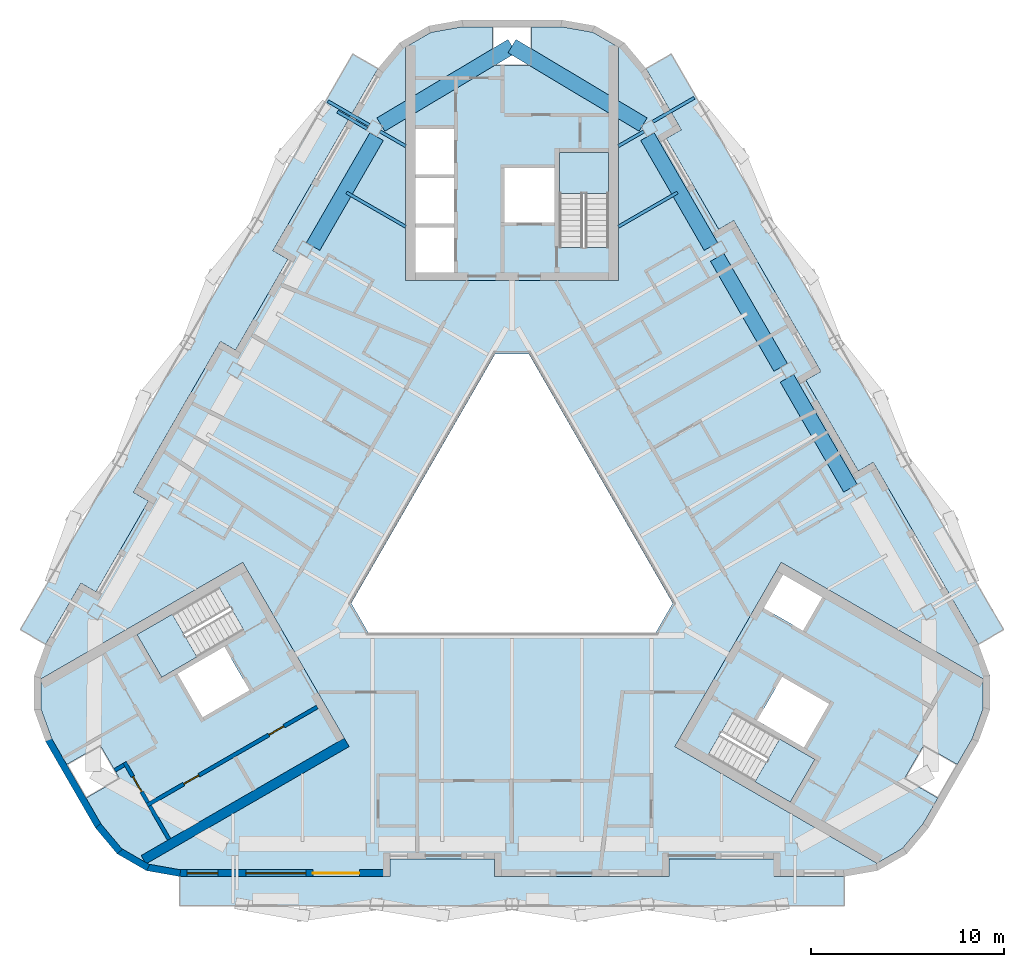
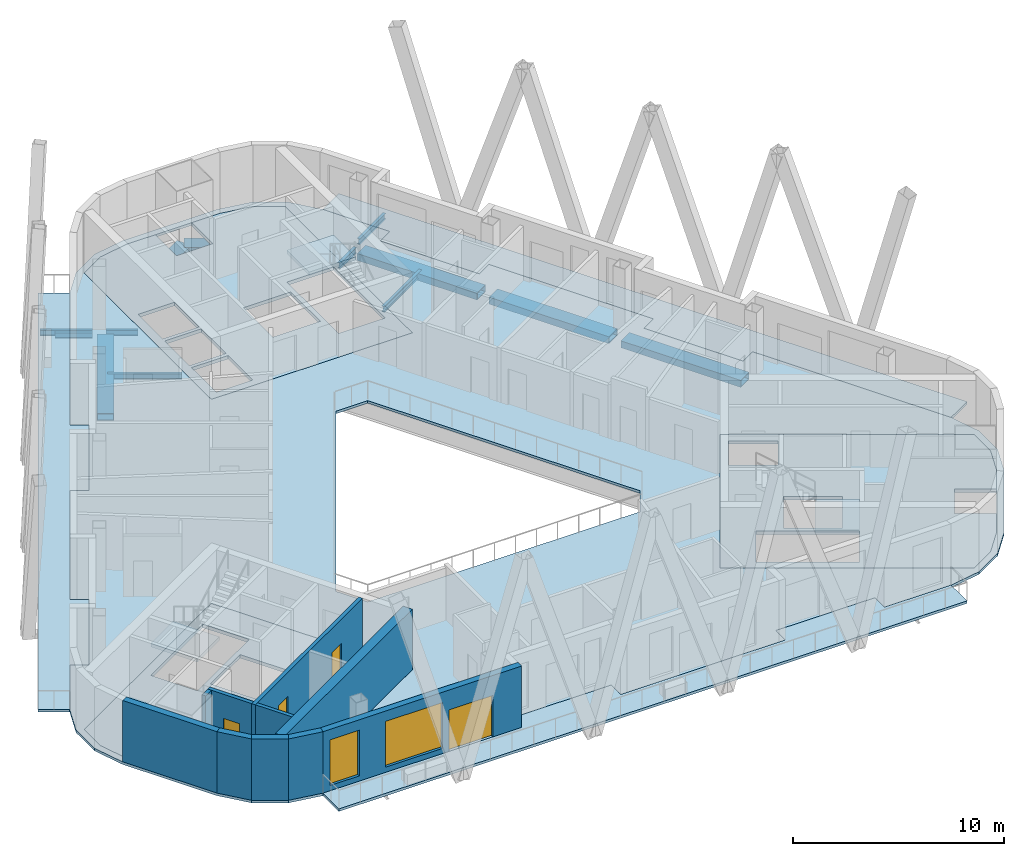
# One storey, part 2 of 13: 13 beams, 10 slabs, 10 walls, 4 doors, 2 windows, 6 openings, 3 elements without a shape of their own.
"""IFC4 building model written with IfcOpenShell, lengths in metres."""

import ifcopenshell
import ifcopenshell.guid

model = None  # the IFC model being written
_history = None  # IfcOwnerHistory: only IFC2X3 demands one
_inside = {}  # id of a spatial element -> (the spatial element, [elements in it])
_under = {}  # id of a project, library or spatial element -> (it, [spatial elements below it])
_declared = {}  # id of a project -> (the project, [libraries it declares])
_typed = {}  # id of a type object -> (the type object, [elements of that type])
_made_of = {}  # id of a material, layer set ... -> (it, [elements and type objects made of it])


def new_model(schema):
    """Start an empty IFC model of exactly this schema.

    Asked for "IFC4X3", IfcOpenShell would pick the latest addendum, in which some entities
    have other attributes; the version numbers below select the first issue.
    IFC2X3 requires an IfcOwnerHistory on every rooted entity: one is made here for all.
    """
    global model, _history
    if schema == "IFC4X3":
        model = ifcopenshell.file(schema_version=(4, 3, 0, 0))
    else:
        model = ifcopenshell.file(schema=schema)
    _inside.clear()
    _under.clear()
    _declared.clear()
    _typed.clear()
    _made_of.clear()
    _history = None
    if model.schema == "IFC2X3":
        org = make("IfcOrganization", Name="unknown")
        user = make(
            "IfcPersonAndOrganization",
            ThePerson=make("IfcPerson", FamilyName="unknown"),
            TheOrganization=org,
        )
        app = make(
            "IfcApplication",
            ApplicationDeveloper=org,
            Version="unknown",
            ApplicationFullName="unknown",
            ApplicationIdentifier="unknown",
        )
        _history = make(
            "IfcOwnerHistory",
            OwningUser=user,
            OwningApplication=app,
            ChangeAction="ADDED",
            CreationDate=0,
        )
    return model


def make(cls, **values):
    """One entity of the class cls with the attributes given. An attribute that is None is left unset."""
    return model.create_entity(
        cls, **{name: value for name, value in values.items() if value is not None}
    )


def rooted(cls, **values):
    """An entity with a GlobalId (a new one), such as an element, a storey or a relation."""
    return make(cls, GlobalId=ifcopenshell.guid.new(), OwnerHistory=_history, **values)


def si_unit(unit_type, name, prefix=None):
    """IfcSIUnit, for example si_unit("LENGTHUNIT", "METRE", prefix="MILLI")."""
    return make("IfcSIUnit", UnitType=unit_type, Prefix=prefix, Name=name)


def assignment(units):
    """IfcUnitAssignment: the units of a project."""
    return None if units is None else make("IfcUnitAssignment", Units=units)


def point(xyz):
    """IfcCartesianPoint."""
    return None if xyz is None else make("IfcCartesianPoint", Coordinates=xyz)


def direction(xyz):
    """IfcDirection."""
    return None if xyz is None else make("IfcDirection", DirectionRatios=xyz)


def frame(location, z_axis=None, x_axis=None):
    """IfcAxis2Placement3D, a coordinate frame: its origin and axes. An axis left out is left unset."""
    return make(
        "IfcAxis2Placement3D",
        Location=point(location),
        Axis=direction(z_axis),
        RefDirection=direction(x_axis),
    )


def frame_2d(location, x_axis=None):
    """IfcAxis2Placement2D, a coordinate frame in the plane: its origin and x axis."""
    return make(
        "IfcAxis2Placement2D", Location=point(location), RefDirection=direction(x_axis)
    )


def origin():
    """The frame at (0, 0, 0) with its axes left unset."""
    return frame((0.0, 0.0, 0.0))


def origin_2d():
    """The frame at (0, 0) in the plane with its x axis left unset."""
    return frame_2d((0.0, 0.0))


def place(relative_to, where):
    """IfcLocalPlacement: puts the frame where relative to a parent placement (None: the world)."""
    return make(
        "IfcLocalPlacement", PlacementRelTo=relative_to, RelativePlacement=where
    )


def context(
    kind, dimensions, precision=None, world=None, true_north=None, identifier=None
):
    """IfcGeometricRepresentationContext, for example the 3D "Model" context."""
    return make(
        "IfcGeometricRepresentationContext",
        ContextIdentifier=identifier,
        ContextType=kind,
        CoordinateSpaceDimension=dimensions,
        Precision=precision,
        WorldCoordinateSystem=world,
        TrueNorth=true_north,
    )


def subcontext(parent, identifier, kind, view, scale=None):
    """IfcGeometricRepresentationSubContext, for example "Body" below "Model"."""
    return make(
        "IfcGeometricRepresentationSubContext",
        ContextIdentifier=identifier,
        ContextType=kind,
        ParentContext=parent,
        TargetScale=scale,
        TargetView=view,
    )


def project(units=None, contexts=None):
    """IfcProject with its units and contexts."""
    return rooted(
        "IfcProject",
        Name="project",
        RepresentationContexts=contexts,
        UnitsInContext=assignment(units),
    )


def spatial(cls, under=None, at=None, **own):
    """A site, building, storey or space (cls), placed at a placement, below another one or the project."""
    s = rooted(cls, ObjectPlacement=at, **own)
    if under is not None:
        _under.setdefault(under.id(), (under, []))[1].append(s)
    return s


def polyline(points):
    """IfcPolyline through the points."""
    return make("IfcPolyline", Points=[point(p) for p in points])


def profile(cls, at=None, kind="AREA", **sizes):
    """A parametric profile (cls). Its sizes go by their IFC names, for example OverallWidth=200.0."""
    return make(cls, ProfileType=kind, Position=at, **sizes)


def rectangle(**sizes):
    """IfcRectangleProfileDef."""
    return profile("IfcRectangleProfileDef", **sizes)


def hollow_rectangle(**sizes):
    """IfcRectangleHollowProfileDef."""
    return profile("IfcRectangleHollowProfileDef", **sizes)


def i_section(**sizes):
    """IfcIShapeProfileDef."""
    return profile("IfcIShapeProfileDef", **sizes)


def outline(outer, holes=None, kind="AREA"):
    """IfcArbitraryClosedProfileDef: a profile drawn as a closed curve; with holes, ...WithVoids."""
    if holes is None:
        return make("IfcArbitraryClosedProfileDef", ProfileType=kind, OuterCurve=outer)
    return make(
        "IfcArbitraryProfileDefWithVoids",
        ProfileType=kind,
        OuterCurve=outer,
        InnerCurves=holes,
    )


def extrude(swept, where, along, depth):
    """IfcExtrudedAreaSolid: the profile swept, set in the frame where, extruded along a direction by depth."""
    return make(
        "IfcExtrudedAreaSolid",
        SweptArea=swept,
        Position=where,
        ExtrudedDirection=direction(along),
        Depth=depth,
    )


def shape(context_of_items, identifier, shape_type, items):
    """IfcShapeRepresentation: the items that make up one representation, for example the "Body"."""
    return make(
        "IfcShapeRepresentation",
        ContextOfItems=context_of_items,
        RepresentationIdentifier=identifier,
        RepresentationType=shape_type,
        Items=items,
    )


def material(Name=None, Category=None):
    """IfcMaterial."""
    return make("IfcMaterial", Name=Name, Category=Category)


def layer(
    of_material, thickness, ventilated=None, Name=None, Category=None, Priority=None
):
    """IfcMaterialLayer: one layer of a wall or slab, of a material (None: an air gap)."""
    return make(
        "IfcMaterialLayer",
        Material=of_material,
        LayerThickness=thickness,
        IsVentilated=ventilated,
        Name=Name,
        Category=Category,
        Priority=Priority,
    )


def layer_set(layers, Name=None):
    """IfcMaterialLayerSet."""
    return make("IfcMaterialLayerSet", MaterialLayers=layers, LayerSetName=Name)


def material_profile(
    of_material, cross_section, Name=None, Category=None, Priority=None
):
    """IfcMaterialProfile: a cross section and its material."""
    return make(
        "IfcMaterialProfile",
        Name=Name,
        Material=of_material,
        Profile=cross_section,
        Priority=Priority,
        Category=Category,
    )


def profile_set(profiles, Name=None, composite=None):
    """IfcMaterialProfileSet."""
    return make(
        "IfcMaterialProfileSet",
        Name=Name,
        MaterialProfiles=profiles,
        CompositeProfile=composite,
    )


def made_of(thing, what):
    """Note that an element or type object is made of a material, layer set ...; save() writes the relation."""
    if what is not None:
        _made_of.setdefault(what.id(), (what, []))[1].append(thing)
    return thing


def type_object(cls, material=None, **own):
    """A type object (cls), such as IfcWallType, which elements share."""
    return made_of(rooted(cls, **own), material)


def element(
    cls,
    number,
    at=None,
    inside=None,
    cuts=None,
    type_object=None,
    material=None,
    context=None,
    identifier="Body",
    shape_type=None,
    held_by="IfcProductDefinitionShape",
    body=None,
    shapes=None,
    **own,
):
    """One element of the class cls, such as IfcWall. Its Tag is "e" and its number.

    at: its placement. inside: the storey or other place that contains it. cuts: it is an
    opening in that element (IfcRelVoidsElement). A single representation is given by context,
    identifier, shape_type and body (its items); several are given by shapes. held_by: the class
    of the entity that holds the representations. save() writes the other relations.
    """
    e = rooted(cls, Tag="e%d" % number, ObjectPlacement=at, **own)
    if body is not None:
        shapes = [shape(context, identifier, shape_type, body)]
    if shapes is not None:
        e.Representation = make(held_by, Representations=shapes)
    if inside is not None:
        _inside.setdefault(inside.id(), (inside, []))[1].append(e)
    if cuts is not None:
        rooted(
            "IfcRelVoidsElement", RelatingBuildingElement=cuts, RelatedOpeningElement=e
        )
    if type_object is not None:
        _typed.setdefault(type_object.id(), (type_object, []))[1].append(e)
    return made_of(e, material)


def fill(opening, filler):
    """IfcRelFillsElement: the door or window that sits in an opening."""
    return rooted(
        "IfcRelFillsElement",
        RelatingOpeningElement=opening,
        RelatedBuildingElement=filler,
    )


def aggregate(whole, parts):
    """IfcRelAggregates: a whole, such as a stair, and the parts it consists of."""
    return rooted("IfcRelAggregates", RelatingObject=whole, RelatedObjects=parts)


def save(model, path):
    """Write the relations noted so far, then the file.

    IfcRelAggregates (storeys below a building ...), IfcRelContainedInSpatialStructure (elements
    in a storey), IfcRelDefinesByType, IfcRelAssociatesMaterial and IfcRelDeclares: one each for
    every whole, place, type object, material and project.
    """
    for whole, parts in _under.values():
        aggregate(whole, parts)
    for where, things in _inside.values():
        rooted(
            "IfcRelContainedInSpatialStructure",
            RelatedElements=things,
            RelatingStructure=where,
        )
    for kind, things in _typed.values():
        rooted("IfcRelDefinesByType", RelatedObjects=things, RelatingType=kind)
    for what, things in _made_of.values():
        rooted("IfcRelAssociatesMaterial", RelatedObjects=things, RelatingMaterial=what)
    for by, libraries in _declared.values():
        rooted("IfcRelDeclares", RelatingContext=by, RelatedDefinitions=libraries)
    model.write(path)


model = new_model("IFC4")

# Units and contexts
model_context = context("Model", 3, precision=1e-05, world=origin(), true_north=direction((0.0, 1.0)))
body_context = subcontext(model_context, "Body", "Model", "MODEL_VIEW")
ifc_project = project(units=[si_unit("LENGTHUNIT", "METRE"), si_unit("AREAUNIT", "SQUARE_METRE"), si_unit("VOLUMEUNIT", "CUBIC_METRE"), si_unit("PLANEANGLEUNIT", "RADIAN"), si_unit("MASSUNIT", "GRAM", prefix="KILO")], contexts=[model_context])

# Site, building, storey
site_placement = place(None, origin())
site = spatial("IfcSite", under=ifc_project, at=site_placement, CompositionType="ELEMENT")
building_placement = place(site_placement, origin())
building = spatial("IfcBuilding", under=site, at=building_placement, Name="Apuvela Tower Hotel", CompositionType="ELEMENT")
storey_placement = place(building_placement, frame((0.0, 0.0, 280.0)))
storey = spatial("IfcBuildingStorey", under=building, at=storey_placement, Name="L69", CompositionType="ELEMENT", Elevation=280.0)

# Beams
ifc_material_1 = material(Name="Steel S355", Category="steel")
ifc_material_profile_1 = material_profile(ifc_material_1, i_section(OverallWidth=0.159912109375, OverallDepth=0.330078125, WebThickness=0.007568359375, FlangeThickness=0.011474609375, at=origin_2d()), Name="IPE 330")
ifc_profile_set_1 = profile_set([ifc_material_profile_1], Name="Steel S355")
beam_type_1 = type_object("IfcBeamType", Name="ENV-BALCONY-BEAM-IPE330", PredefinedType="BEAM", material=ifc_profile_set_1)
for number, where, z_axis, x_axis, name in (
    (1, (7.280517578125, 21.097412109375, -0.31494140625), (0.866006523861, 0.500032699561, 0.0), (-0.500032699561, 0.866006523861, 0.0), "Balcony cantilever beam NE3 L69"),
    (2, (-7.38037109375, 20.92431640625, -0.31494140625), (-0.86604923931, 0.499958713387, 0.0), (-0.499958713387, -0.86604923931, 0.0), "Balcony cantilever beam NW1 L69"),
):
    element("IfcBeam", number, at=place(storey_placement, frame(where, z_axis=z_axis, x_axis=x_axis)), inside=storey, type_object=beam_type_1, Name=name, PredefinedType="BEAM", context=body_context, shape_type="SweptSolid", body=[
        extrude(i_section(OverallWidth=0.159912109375, OverallDepth=0.330078125, WebThickness=0.007568359375, FlangeThickness=0.011474609375, at=origin_2d()), origin(), (0.0, 0.0, 1.0), 2.474853515625),
    ])
beam_1_placement = place(storey_placement, frame((-7.490478515625, 20.733642578125, -0.31494140625), z_axis=(-0.866025242659, 0.500000279077, 0.0), x_axis=(-0.500000279077, -0.866025242659, 0.0)))
element("IfcBeam", 3, at=beam_1_placement, inside=storey, type_object=beam_type_1, Name="Balcony cantilever beam NW2 L69", PredefinedType="BEAM", context=body_context, shape_type="SweptSolid", body=[
    extrude(i_section(OverallWidth=0.159912109375, OverallDepth=0.330078125, WebThickness=0.007568359375, FlangeThickness=0.011474609375, at=origin_2d()), origin(), (0.0, 0.0, 1.0), 1.77490234375),
])
ifc_material_profile_2 = material_profile(ifc_material_1, i_section(OverallWidth=0.159912109375, OverallDepth=0.330078125, WebThickness=0.007568359375, FlangeThickness=0.011474609375, at=origin_2d()), Name="IPE 330")
ifc_profile_set_2 = profile_set([ifc_material_profile_2], Name="Steel S355")
beam_type_2 = type_object("IfcBeamType", Name="STR-B floor beam IPE 330", PredefinedType="BEAM", material=ifc_profile_set_2)
beam_2_placement = place(storey_placement, frame((8.556396484375, 17.4375, -0.31494140625), z_axis=(-0.866020851292, -0.500007885066, 0.0), x_axis=(0.500007885066, -0.866020851292, 0.0)))
element("IfcBeam", 4, at=beam_2_placement, inside=storey, type_object=beam_type_2, Name="Floor beam B1 NE8", PredefinedType="BEAM", context=body_context, shape_type="SweptSolid", body=[
    extrude(i_section(OverallWidth=0.159912109375, OverallDepth=0.330078125, WebThickness=0.007568359375, FlangeThickness=0.011474609375, at=origin_2d()), origin(), (0.0, 0.0, 1.0), 3.529296875),
])
for number, where, z_axis, x_axis, name in (
    (5, (6.8173828125, 20.59912109375, -0.31494140625), (-0.865982457891, -0.500074377092, 0.0), (0.500074377092, -0.865982457891, 0.0), "Floor beam B1 NE9"),
    (6, (-6.8173828125, 20.59912109375, -0.31494140625), (0.865982457891, -0.500074377092, 0.0), (0.500074377092, 0.865982457891, 0.0), "Floor beam B1 NW1"),
):
    element("IfcBeam", number, at=place(storey_placement, frame(where, z_axis=z_axis, x_axis=x_axis)), inside=storey, type_object=beam_type_2, Name=name, PredefinedType="BEAM", context=body_context, shape_type="SweptSolid", body=[
        extrude(i_section(OverallWidth=0.159912109375, OverallDepth=0.330078125, WebThickness=0.007568359375, FlangeThickness=0.011474609375, at=origin_2d()), origin(), (0.0, 0.0, 1.0), 1.521240234375),
    ])
beam_3_placement = place(storey_placement, frame((-8.556396484375, 17.4375, -0.31494140625), z_axis=(0.866020851292, -0.500007885066, 0.0), x_axis=(0.500007885066, 0.866020851292, 0.0)))
element("IfcBeam", 7, at=beam_3_placement, inside=storey, type_object=beam_type_2, Name="Floor beam B1 NW2", PredefinedType="BEAM", context=body_context, shape_type="SweptSolid", body=[
    extrude(i_section(OverallWidth=0.159912109375, OverallDepth=0.330078125, WebThickness=0.007568359375, FlangeThickness=0.011474609375, at=origin_2d()), origin(), (0.0, 0.0, 1.0), 3.529296875),
])
ifc_material_2 = material(Name="Steel S460", Category="steel")
ifc_material_profile_3 = material_profile(ifc_material_2, hollow_rectangle(XDim=0.800048828125, YDim=0.39990234375, WallThickness=0.02490234375, at=origin_2d()), Name="BOX 800x400x25")
ifc_profile_set_3 = profile_set([ifc_material_profile_3], Name="Steel S460")
beam_type_3 = type_object("IfcBeamType", Name="STR-RB perimeter ring beam BOX 800x400x25", PredefinedType="SPANDREL", material=ifc_profile_set_3)
for number, where, z_axis, x_axis, name in (
    (8, (17.499755859375, 2.147216796875, -0.39990234375), (-0.500002498361, 0.86602396135, 0.0), (-0.86602396135, -0.500002498361, 0.0), "Ring beam RB1 NE2"),
    (9, (13.89208984375, 8.395751953125, -0.39990234375), (-0.500002498361, 0.86602396135, 0.0), (-0.86602396135, -0.500002498361, 0.0), "Ring beam RB1 NE3"),
):
    element("IfcBeam", number, at=place(storey_placement, frame(where, z_axis=z_axis, x_axis=x_axis)), inside=storey, type_object=beam_type_3, Name=name, PredefinedType="SPANDREL", context=body_context, shape_type="SweptSolid", body=[
        extrude(hollow_rectangle(XDim=0.800048828125, YDim=0.39990234375, WallThickness=0.02490234375, at=origin_2d()), origin(), (0.0, 0.0, 1.0), 6.5654296875),
    ])
for number, where, z_axis, x_axis, name in (
    (10, (10.2841796875, 14.64453125, -0.39990234375), (-0.499990710383, 0.866030767081, 0.0), (-0.866030767081, -0.499990710383, 0.0), "Ring beam RB1 NE4"),
    (11, (-7.001708984375, 20.330078125, -0.39990234375), (-0.499990710383, -0.866030767081, 0.0), (0.866030767081, -0.499990710383, 0.0), "Ring beam RB1 NW1"),
):
    element("IfcBeam", number, at=place(storey_placement, frame(where, z_axis=z_axis, x_axis=x_axis)), inside=storey, type_object=beam_type_3, Name=name, PredefinedType="SPANDREL", context=body_context, shape_type="SweptSolid", body=[
        extrude(hollow_rectangle(XDim=0.800048828125, YDim=0.39990234375, WallThickness=0.02490234375, at=origin_2d()), origin(), (0.0, 0.0, 1.0), 6.56494140625),
    ])
for number, where, z_axis, x_axis, name in (
    (12, (6.77978515625, 20.95263671875, -0.39990234375), (-0.858146625937, 0.51340468287, 0.0), (-0.51340468287, -0.858146625937, 0.0), "Ring beam RB1 NE5-N"),
    (13, (-6.77978515625, 20.95263671875, -0.39990234375), (0.858146625937, 0.51340468287, 0.0), (-0.51340468287, 0.858146625937, 0.0), "Ring beam RB1 NW1-N"),
):
    element("IfcBeam", number, at=place(storey_placement, frame(where, z_axis=z_axis, x_axis=x_axis)), inside=storey, type_object=beam_type_3, Name=name, PredefinedType="SPANDREL", context=body_context, shape_type="SweptSolid", body=[
        extrude(hollow_rectangle(XDim=0.800048828125, YDim=0.39990234375, WallThickness=0.02490234375, at=origin_2d()), origin(), (0.0, 0.0, 1.0), 7.900390625),
    ])

# Slabs
ifc_material_3 = material(Name="Concrete C50/60", Category="concrete")
ifc_layer_1 = layer(ifc_material_3, 0.199951171875)
ifc_layer_set_1 = layer_set([ifc_layer_1], Name="COR-FLOOR-200")
slab_type_1 = type_object("IfcSlabType", Name="COR-FLOOR-200", PredefinedType="FLOOR", material=ifc_layer_set_1)
slab_1_placement = place(storey_placement, frame((0.0, 0.0, -0.199951171875)))
element("IfcSlab", 14, at=slab_1_placement, inside=storey, type_object=slab_type_1, Name="Core floor N", PredefinedType="FLOOR", context=body_context, shape_type="SweptSolid", body=[
    extrude(outline(polyline([(5.5, 24.9599609375), (4.180419921875, 25.721923828125), (2.55322265625, 26.0087890625), (1.0, 26.0087890625), (1.0, 24.0087890625), (-1.0, 24.0087890625), (-1.0, 26.0087890625), (-2.55322265625, 26.0087890625), (-4.180419921875, 25.721923828125), (-5.5, 24.9599609375), (-5.5, 12.89990234375), (5.5, 12.89990234375), (5.5, 24.9599609375)]), holes=[polyline([(-3.0, 13.300048828125), (-5.0, 13.300048828125), (-5.0, 15.639892578125), (-3.0, 15.639892578125), (-3.0, 13.300048828125)]), polyline([(-3.0, 15.840087890625), (-5.0, 15.840087890625), (-5.0, 18.179931640625), (-3.0, 18.179931640625), (-3.0, 15.840087890625)]), polyline([(5.0, 14.60595703125), (2.449951171875, 14.60595703125), (2.449951171875, 19.5), (5.0, 19.5), (5.0, 14.60595703125)]), polyline([(2.199951171875, 18.699951171875), (2.199951171875, 15.89990234375), (-0.39990234375, 15.89990234375), (-0.39990234375, 18.699951171875), (2.199951171875, 18.699951171875)]), polyline([(-3.0, 20.719970703125), (-3.0, 18.3798828125), (-5.0, 18.3798828125), (-5.0, 20.719970703125), (-3.0, 20.719970703125)])]), origin(), (0.0, 0.0, 1.0), 0.199951171875),
])
slab_2_placement = place(storey_placement, frame((0.0, 0.0, -0.199951171875)))
element("IfcSlab", 15, at=slab_2_placement, inside=storey, type_object=slab_type_1, Name="Core floor SW", PredefinedType="FLOOR", context=body_context, shape_type="SweptSolid", body=[
    extrude(outline(polyline([(-24.365966796875, -7.716796875), (-24.365966796875, -9.240478515625), (-23.80078125, -10.793212890625), (-23.0244140625, -12.138427734375), (-21.292236328125, -11.138427734375), (-20.292236328125, -12.870361328125), (-22.0244140625, -13.870361328125), (-21.247802734375, -15.215576171875), (-20.185546875, -16.481201171875), (-18.865966796875, -17.2431640625), (-8.421630859375, -11.213134765625), (-13.921630859375, -1.68701171875), (-24.365966796875, -7.716796875)]), holes=[polyline([(-13.874267578125, -5.18115234375), (-18.112548828125, -7.628173828125), (-19.387451171875, -5.419921875), (-15.149169921875, -2.972900390625), (-13.874267578125, -5.18115234375)]), polyline([(-13.56982421875, -8.29638671875), (-15.99462890625, -9.6962890625), (-17.294677734375, -7.444580078125), (-14.869873046875, -6.044677734375), (-13.56982421875, -8.29638671875)])]), origin(), (0.0, 0.0, 1.0), 0.199951171875),
])
slab_3_placement = place(storey_placement, frame((0.0, 0.0, -0.199951171875)))
element("IfcSlab", 16, at=slab_3_placement, inside=storey, type_object=slab_type_1, Name="Core floor SE", PredefinedType="FLOOR", context=body_context, shape_type="SweptSolid", body=[
    extrude(outline(polyline([(18.865966796875, -17.2431640625), (20.185546875, -16.481201171875), (21.247802734375, -15.215576171875), (22.0244140625, -13.870361328125), (20.292236328125, -12.870361328125), (21.292236328125, -11.138427734375), (23.0244140625, -12.138427734375), (23.80078125, -10.793212890625), (24.365966796875, -9.240478515625), (24.365966796875, -7.716796875), (13.921630859375, -1.68701171875), (8.421630859375, -11.213134765625), (18.865966796875, -17.2431640625)]), holes=[polyline([(14.01806640625, -2.31982421875), (16.044677734375, -3.489990234375), (15.044677734375, -5.221923828125), (13.01806640625, -4.052001953125), (14.01806640625, -2.31982421875)]), polyline([(10.149169921875, -11.633056640625), (11.42431640625, -9.4248046875), (15.66259765625, -11.871826171875), (14.387451171875, -14.080078125), (10.149169921875, -11.633056640625)]), polyline([(12.669921875, -9.855224609375), (13.9697265625, -7.603515625), (16.394775390625, -9.003662109375), (15.0947265625, -11.25537109375), (12.669921875, -9.855224609375)])]), origin(), (0.0, 0.0, 1.0), 0.199951171875),
])

# Stair, slab
stair_type = type_object("IfcStairType", Name="COR-STAIR-22R", PredefinedType="HALF_TURN_STAIR", material=ifc_material_3)
stair_1_placement = place(storey_placement, origin())
stair_1 = element("IfcStair", 17, at=stair_1_placement, inside=storey, type_object=stair_type, Name="L69 Exit stair ST1", PredefinedType="HALF_TURN_STAIR")
ifc_layer_2 = layer(ifc_material_3, 0.199951171875)
ifc_layer_set_2 = layer_set([ifc_layer_2], Name="COR-LANDING-200")
slab_type_2 = type_object("IfcSlabType", Name="COR-LANDING-200", PredefinedType="LANDING", material=ifc_layer_set_2)
slab_4_placement = place(storey_placement, frame((0.0, 0.0, 1.64990234375)))
slab_4 = element("IfcSlab", 18, at=slab_4_placement, type_object=slab_type_2, Name="ST1 landing 1", PredefinedType="LANDING", context=body_context, shape_type="SweptSolid", body=[
    extrude(outline(polyline([(5.0, 17.39404296875), (5.0, 19.5), (2.449951171875, 19.5), (2.449951171875, 17.39404296875), (5.0, 17.39404296875)])), origin(), (0.0, 0.0, 1.0), 0.2001953125),
])
aggregate(stair_1, [slab_4])

stair_2_placement = place(storey_placement, origin())
stair_2 = element("IfcStair", 19, at=stair_2_placement, inside=storey, type_object=stair_type, Name="L69 Exit stair ST2", PredefinedType="HALF_TURN_STAIR")
slab_5_placement = place(storey_placement, frame((0.0, 0.0, 1.64990234375)))
slab_5 = element("IfcSlab", 20, at=slab_5_placement, type_object=slab_type_2, Name="ST2 landing 1", PredefinedType="LANDING", context=body_context, shape_type="SweptSolid", body=[
    extrude(outline(polyline([(-17.563720703125, -4.366943359375), (-19.387451171875, -5.419921875), (-18.112548828125, -7.628173828125), (-16.28857421875, -6.5751953125), (-17.563720703125, -4.366943359375)])), origin(), (0.0, 0.0, 1.0), 0.2001953125),
])
aggregate(stair_2, [slab_5])

stair_3_placement = place(storey_placement, origin())
stair_3 = element("IfcStair", 21, at=stair_3_placement, inside=storey, type_object=stair_type, Name="L69 Exit stair ST3", PredefinedType="HALF_TURN_STAIR")
slab_6_placement = place(storey_placement, frame((0.0, 0.0, 1.64990234375)))
slab_6 = element("IfcSlab", 22, at=slab_6_placement, type_object=slab_type_2, Name="ST3 landing 1", PredefinedType="LANDING", context=body_context, shape_type="SweptSolid", body=[
    extrude(outline(polyline([(12.563720703125, -13.027099609375), (14.387451171875, -14.080078125), (15.66259765625, -11.871826171875), (13.838623046875, -10.81884765625), (12.563720703125, -13.027099609375)])), origin(), (0.0, 0.0, 1.0), 0.2001953125),
])
aggregate(stair_3, [slab_6])

# Slabs
ifc_material_4 = material(Name="Concrete C40/50, fair-faced", Category="concrete")
ifc_layer_3 = layer(ifc_material_4, 0.14990234375)
ifc_layer_set_3 = layer_set([ifc_layer_3], Name="ENV-BALCONY-150")
slab_type_3 = type_object("IfcSlabType", Name="ENV-BALCONY-150", PredefinedType="FLOOR", material=ifc_layer_set_3)
slab_7_placement = place(storey_placement, frame((0.0, 0.0, -0.14990234375)))
element("IfcSlab", 23, at=slab_7_placement, inside=storey, type_object=slab_type_3, Name="Balcony slab S L69", PredefinedType="FLOOR", context=body_context, shape_type="SweptSolid", body=[
    extrude(outline(polyline([(17.190185546875, -19.43359375), (-17.190185546875, -19.43359375), (-17.190185546875, -17.923583984375), (-6.3203125, -17.923583984375), (-6.3203125, -17.023681640625), (-0.89501953125, -17.023681640625), (-0.89501953125, -17.923583984375), (8.1103515625, -17.923583984375), (8.1103515625, -17.023681640625), (13.53564453125, -17.023681640625), (13.53564453125, -17.923583984375), (17.190185546875, -17.923583984375), (17.190185546875, -19.43359375)])), origin(), (0.0, 0.0, 1.0), 0.14990234375),
])
slab_8_placement = place(storey_placement, frame((0.0, 0.0, -0.14990234375)))
element("IfcSlab", 24, at=slab_8_placement, inside=storey, type_object=slab_type_3, Name="Balcony slab NE L69", PredefinedType="FLOOR", context=body_context, shape_type="SweptSolid", body=[
    extrude(outline(polyline([(15.969970703125, 8.186767578125), (11.46728515625, 15.985595703125), (10.687744140625, 15.53564453125), (7.97509765625, 20.234130859375), (8.754638671875, 20.68408203125), (6.92724609375, 23.84912109375), (8.235107421875, 24.60400390625), (25.42529296875, -5.170166015625), (24.117431640625, -5.92529296875), (18.6826171875, 3.48828125), (17.9033203125, 3.038330078125), (15.1904296875, 7.73681640625), (15.969970703125, 8.186767578125)])), origin(), (0.0, 0.0, 1.0), 0.14990234375),
])
slab_9_placement = place(storey_placement, frame((0.0, 0.0, -0.14990234375)))
element("IfcSlab", 25, at=slab_9_placement, inside=storey, type_object=slab_type_3, Name="Balcony slab NW L69", PredefinedType="FLOOR", context=body_context, shape_type="SweptSolid", body=[
    extrude(outline(polyline([(-25.42529296875, -5.170166015625), (-8.235107421875, 24.60400390625), (-6.92724609375, 23.84912109375), (-12.3623046875, 14.435302734375), (-11.582763671875, 13.9853515625), (-14.29541015625, 9.287109375), (-15.074951171875, 9.737060546875), (-19.57763671875, 1.93798828125), (-18.798095703125, 1.488037109375), (-21.5107421875, -3.21044921875), (-22.290283203125, -2.760498046875), (-24.117431640625, -5.92529296875), (-25.42529296875, -5.170166015625)])), origin(), (0.0, 0.0, 1.0), 0.14990234375),
])
ifc_material_5 = material(Name="Concrete C35/45", Category="concrete")
ifc_layer_4 = layer(ifc_material_5, 0.14990234375)
ifc_layer_set_4 = layer_set([ifc_layer_4], Name="STR-SLAB 150 floor Concrete C35/45")
slab_type_4 = type_object("IfcSlabType", Name="STR-SLAB 150 floor Concrete C35/45", PredefinedType="FLOOR", material=ifc_layer_set_4)
slab_10_placement = place(storey_placement, frame((0.0, 0.0, -0.14990234375)))
element("IfcSlab", 26, at=slab_10_placement, inside=storey, type_object=slab_type_4, Name="Floor slab S4 L69", PredefinedType="FLOOR", context=body_context, shape_type="SweptSolid", body=[
    extrude(outline(polyline([(-5.812744140625, 25.18359375), (-4.302001953125, 26.055908203125), (-2.583740234375, 26.35888671875), (2.583740234375, 26.35888671875), (4.302001953125, 26.055908203125), (5.812744140625, 25.18359375), (6.93408203125, 23.84716796875), (8.761474609375, 20.682373046875), (7.98193359375, 20.232421875), (10.689697265625, 15.54248046875), (11.468994140625, 15.992431640625), (15.976806640625, 8.184814453125), (15.197265625, 7.73486328125), (17.905029296875, 3.045166015625), (18.684326171875, 3.4951171875), (24.119384765625, -5.91845703125), (24.716064453125, -7.557861328125), (24.716064453125, -9.302490234375), (24.119384765625, -10.941650390625), (21.535400390625, -15.4169921875), (20.4140625, -16.75341796875), (18.9033203125, -17.625732421875), (17.18505859375, -17.9287109375), (13.53076171875, -17.9287109375), (13.53076171875, -17.02880859375), (8.115478515625, -17.02880859375), (8.115478515625, -17.9287109375), (-0.89990234375, -17.9287109375), (-0.89990234375, -17.02880859375), (-6.315185546875, -17.02880859375), (-6.315185546875, -17.9287109375), (-17.18505859375, -17.9287109375), (-18.9033203125, -17.625732421875), (-20.4140625, -16.75341796875), (-21.535400390625, -15.4169921875), (-24.119384765625, -10.941650390625), (-24.716064453125, -9.302490234375), (-24.716064453125, -7.557861328125), (-24.119384765625, -5.91845703125), (-22.2919921875, -2.75341796875), (-21.5126953125, -3.20361328125), (-18.804931640625, 1.486328125), (-19.58447265625, 1.936279296875), (-15.07666015625, 9.743896484375), (-14.29736328125, 9.293701171875), (-11.589599609375, 13.983642578125), (-12.369140625, 14.43359375), (-6.93408203125, 23.84716796875), (-5.812744140625, 25.18359375)]), holes=[polyline([(0.865966796875, 9.10009765625), (-0.865966796875, 9.10009765625), (-8.313720703125, -3.800048828125), (-7.44775390625, -5.300048828125), (7.44775390625, -5.300048828125), (8.313720703125, -3.800048828125), (0.865966796875, 9.10009765625)]), polyline([(-5.5, 12.89990234375), (-5.5, 24.9599609375), (-4.180419921875, 25.721923828125), (-2.55322265625, 26.0087890625), (2.55322265625, 26.0087890625), (4.180419921875, 25.721923828125), (5.5, 24.9599609375), (5.5, 12.89990234375), (-5.5, 12.89990234375)]), polyline([(-8.421630859375, -11.213134765625), (-18.865966796875, -17.2431640625), (-20.185546875, -16.481201171875), (-21.247802734375, -15.215576171875), (-23.80078125, -10.793212890625), (-24.365966796875, -9.240478515625), (-24.365966796875, -7.716796875), (-13.921630859375, -1.68701171875), (-8.421630859375, -11.213134765625)]), polyline([(13.921630859375, -1.68701171875), (24.365966796875, -7.716796875), (24.365966796875, -9.240478515625), (23.80078125, -10.793212890625), (21.247802734375, -15.215576171875), (20.185546875, -16.481201171875), (18.865966796875, -17.2431640625), (8.421630859375, -11.213134765625), (13.921630859375, -1.68701171875)])]), origin(), (0.0, 0.0, 1.0), 0.14990234375),
])

# Wall
ifc_layer_5 = layer(ifc_material_3, 0.5)
ifc_layer_set_5 = layer_set([ifc_layer_5], Name="COR-WALL-CORE-500")
wall_type_1 = type_object("IfcWallType", Name="COR-WALL-CORE-500", PredefinedType="SHEAR", material=ifc_layer_set_5)
wall_1_placement = place(storey_placement, frame((-8.546630859375, -10.99658203125, 0.0), z_axis=(0.0, 0.0, 1.0), x_axis=(-0.866024688907, -0.500001238203, 0.0)))
element("IfcWall", 27, at=wall_1_placement, inside=storey, type_object=wall_type_1, Name="Core wall SW", PredefinedType="SHEAR", context=body_context, shape_type="SweptSolid", body=[
    extrude(rectangle(XDim=12.12890625, YDim=0.5, at=frame_2d((6.064453125, 0.0))), origin(), (0.0, 0.0, 1.0), 3.5),
])

# Wall, openings, doors
ifc_layer_6 = layer(ifc_material_3, 0.199951171875)
ifc_layer_set_6 = layer_set([ifc_layer_6], Name="COR-WALL-SHAFT-200")
wall_type_2 = type_object("IfcWallType", Name="COR-WALL-SHAFT-200", PredefinedType="SHEAR", material=ifc_layer_set_6)
wall_2_placement = place(storey_placement, frame((-10.068115234375, -9.16162109375, 0.0), z_axis=(0.0, 0.0, 1.0), x_axis=(-0.866032725843, -0.499987317609, 0.0)))
wall_2 = element("IfcWall", 28, at=wall_2_placement, inside=storey, type_object=wall_type_2, Name="Shaft wall SW", PredefinedType="SHEAR", context=body_context, shape_type="SweptSolid", body=[
    extrude(rectangle(XDim=10.159912109375, YDim=0.199951171875, at=frame_2d((5.080078125, 0.0))), origin(), (0.0, 0.0, 1.0), 3.5),
])
opening_1_placement = place(wall_2_placement, frame((1.989990234375, 0.0, 0.0)))
opening_1 = element("IfcOpeningElement", 29, at=opening_1_placement, cuts=wall_2, Name="Opening W-RE1", PredefinedType="OPENING", context=body_context, shape_type="SweptSolid", body=[
    extrude(rectangle(XDim=0.89990234375, YDim=2.10009765625, at=frame_2d((0.449951171875, 1.050048828125))), frame((0.0, 0.10986328125, 0.0), z_axis=(0.0, -1.0, 0.0), x_axis=(1.0, 0.0, 0.0)), (0.0, 0.0, 1.0), 0.219970703125),
])
opening_2_placement = place(wall_2_placement, frame((7.070068359375, 0.0, 0.0)))
opening_2 = element("IfcOpeningElement", 30, at=opening_2_placement, cuts=wall_2, Name="Opening W-RE3", PredefinedType="OPENING", context=body_context, shape_type="SweptSolid", body=[
    extrude(rectangle(XDim=0.89990234375, YDim=2.10009765625, at=frame_2d((0.449951171875, 1.050048828125))), frame((0.0, 0.10986328125, 0.0), z_axis=(0.0, -1.0, 0.0), x_axis=(1.0, 0.0, 0.0)), (0.0, 0.0, 1.0), 0.219970703125),
])
ifc_material_6 = material(Name="Steel fire door, powder coated", Category="steel")
door_type_1 = type_object("IfcDoorType", Name="COR-DR-900", OperationType="NOTDEFINED", PredefinedType="DOOR", material=ifc_material_6)
door_1_placement = place(opening_1_placement, origin())
door_1 = element("IfcDoor", 31, at=door_1_placement, inside=storey, type_object=door_type_1, Name="Store door W-RE1", OperationType="SINGLE_SWING_LEFT", OverallHeight=2.10009765625, OverallWidth=0.89990234375, PredefinedType="DOOR", context=body_context, shape_type="SweptSolid", body=[
    extrude(rectangle(XDim=0.89990234375, YDim=2.10009765625, at=frame_2d((0.449951171875, 1.050048828125))), frame((0.0, 0.02490234375, 0.0), z_axis=(0.0, -1.0, 0.0), x_axis=(1.0, 0.0, 0.0)), (0.0, 0.0, 1.0), 0.050048828125),
])
fill(opening_1, door_1)
door_2_placement = place(opening_2_placement, origin())
door_2 = element("IfcDoor", 32, at=door_2_placement, inside=storey, type_object=door_type_1, Name="Store door W-RE3", OperationType="SINGLE_SWING_LEFT", OverallHeight=2.10009765625, OverallWidth=0.89990234375, PredefinedType="DOOR", context=body_context, shape_type="SweptSolid", body=[
    extrude(rectangle(XDim=0.89990234375, YDim=2.10009765625, at=frame_2d((0.449951171875, 1.050048828125))), frame((0.0, 0.02490234375, 0.0), z_axis=(0.0, -1.0, 0.0), x_axis=(1.0, 0.0, 0.0)), (0.0, 0.0, 1.0), 0.050048828125),
])
fill(opening_2, door_2)

# Wall, opening, door
wall_3_placement = place(storey_placement, frame((-20.030517578125, -12.0263671875, 0.0), z_axis=(0.0, 0.0, 1.0), x_axis=(0.500033551112, -0.866006032174, 0.0)))
wall_3 = element("IfcWall", 33, at=wall_3_placement, inside=storey, type_object=wall_type_2, Name="Shaft wall SW", PredefinedType="SHEAR", context=body_context, shape_type="SweptSolid", body=[
    extrude(rectangle(XDim=2.400146484375, YDim=0.199951171875, at=frame_2d((1.2001953125, 0.0))), origin(), (0.0, 0.0, 1.0), 3.5),
])
opening_3_placement = place(wall_3_placement, frame((0.85009765625, 0.0, 0.0)))
opening_3 = element("IfcOpeningElement", 34, at=opening_3_placement, cuts=wall_3, Name="Opening W-REP", PredefinedType="OPENING", context=body_context, shape_type="SweptSolid", body=[
    extrude(rectangle(XDim=0.89990234375, YDim=2.10009765625, at=frame_2d((0.449951171875, 1.050048828125))), frame((0.0, 0.10986328125, 0.0), z_axis=(0.0, -1.0, 0.0), x_axis=(1.0, 0.0, 0.0)), (0.0, 0.0, 1.0), 0.219970703125),
])
door_3_placement = place(opening_3_placement, frame((0.89990234375, 0.0, 0.0), z_axis=(0.0, 0.0, 1.0), x_axis=(-1.0, 0.0, 0.0)))
door_3 = element("IfcDoor", 35, at=door_3_placement, inside=storey, type_object=door_type_1, Name="Store door W-REP", OperationType="SINGLE_SWING_LEFT", OverallHeight=2.10009765625, OverallWidth=0.89990234375, PredefinedType="DOOR", context=body_context, shape_type="SweptSolid", body=[
    extrude(rectangle(XDim=0.89990234375, YDim=2.10009765625, at=frame_2d((0.449951171875, 1.050048828125))), frame((0.0, 0.02490234375, 0.0), z_axis=(0.0, -1.0, 0.0), x_axis=(1.0, 0.0, 0.0)), (0.0, 0.0, 1.0), 0.050048828125),
])
fill(opening_3, door_3)

# Walls
wall_4_placement = place(storey_placement, frame((-18.73046875, -14.278076171875, 0.0), z_axis=(0.0, 0.0, 1.0), x_axis=(0.50002537861, -0.866010750942, 0.0)))
element("IfcWall", 36, at=wall_4_placement, inside=storey, type_object=wall_type_2, Name="Shaft wall SW", PredefinedType="SHEAR", context=body_context, shape_type="SweptSolid", body=[
    extrude(rectangle(XDim=2.0, YDim=0.199951171875, at=frame_2d((1.0, 0.0))), origin(), (0.0, 0.0, 1.0), 3.5),
])
wall_5_placement = place(storey_placement, frame((-20.06689453125, -12.1630859375, 0.0), z_axis=(0.0, 0.0, 1.0), x_axis=(-0.866044851585, -0.499966313909, 0.0)))
element("IfcWall", 37, at=wall_5_placement, inside=storey, type_object=wall_type_2, Name="Shaft wall SW", PredefinedType="SHEAR", context=body_context, shape_type="SweptSolid", body=[
    extrude(rectangle(XDim=0.548828125, YDim=0.199951171875, at=frame_2d((0.2744140625, 0.0))), origin(), (0.0, 0.0, 1.0), 3.5),
])
ifc_material_7 = material(Name="Concrete C40/50, dark pigmented precast panel", Category="concrete")
ifc_layer_7 = layer(ifc_material_7, 0.35009765625)
ifc_layer_set_7 = layer_set([ifc_layer_7], Name="ENV-WALL-350")
wall_type_3 = type_object("IfcWallType", Name="ENV-WALL-350", PredefinedType="SOLIDWALL", material=ifc_layer_set_7)
wall_6_placement = place(storey_placement, frame((-23.9677734375, -10.854248046875, 0.0), z_axis=(0.0, 0.0, 1.0), x_axis=(0.500020983425, -0.866013288659, 0.0)))
element("IfcWall", 38, at=wall_6_placement, inside=storey, type_object=wall_type_3, Name="External wall L69-13", PredefinedType="SOLIDWALL", context=body_context, shape_type="SweptSolid", body=[
    extrude(rectangle(XDim=5.167724609375, YDim=0.35009765625, at=frame_2d((2.583984375, 0.0))), origin(), (0.0, 0.0, 1.0), 3.550048828125),
])
for number, where, z_axis, x_axis, name in (
    (39, (-21.4013671875, -15.3046875, 0.0), (0.0, 0.0, 1.0), (0.642768607723, -0.766060387258, 0.0), "External wall L69-14"),
    (40, (-20.32666015625, -16.60205078125, 0.0), (0.0, 0.0, 1.0), (0.86609937154, -0.499871862198, 0.0), "External wall L69-15"),
    (41, (-18.872802734375, -17.453369140625, 0.0), (0.0, 0.0, 1.0), (0.984803276474, -0.173673563465, 0.0), "External wall L69-16"),
):
    element("IfcWall", number, at=place(storey_placement, frame(where, z_axis=z_axis, x_axis=x_axis)), inside=storey, type_object=wall_type_3, Name=name, PredefinedType="SOLIDWALL", context=body_context, shape_type="SweptSolid", body=[
        extrude(rectangle(XDim=1.74462890625, YDim=0.35009765625, at=frame_2d((0.872314453125, 0.0))), origin(), (0.0, 0.0, 1.0), 3.550048828125),
    ])

# Wall, openings, door, windows
wall_7_placement = place(storey_placement, frame((-17.18505859375, -17.753662109375, 0.0), z_axis=(0.0, 0.0, 1.0), x_axis=(1.0, 0.0, 0.0)))
wall_7 = element("IfcWall", 42, at=wall_7_placement, inside=storey, type_object=wall_type_3, Name="External wall L69-17", PredefinedType="SOLIDWALL", context=body_context, shape_type="SweptSolid", body=[
    extrude(rectangle(XDim=10.869873046875, YDim=0.35009765625, at=frame_2d((5.43505859375, 0.0))), origin(), (0.0, 0.0, 1.0), 3.550048828125),
])
opening_4_placement = place(wall_7_placement, frame((0.380859375, 0.0, 0.300048828125)))
opening_4 = element("IfcOpeningElement", 43, at=opening_4_placement, cuts=wall_7, Name="Opening WN16", PredefinedType="OPENING", context=body_context, shape_type="SweptSolid", body=[
    extrude(rectangle(XDim=1.60009765625, YDim=2.64990234375, at=frame_2d((0.800048828125, 1.324951171875))), frame((0.0, 0.18505859375, 0.0), z_axis=(0.0, -1.0, 0.0), x_axis=(1.0, 0.0, 0.0)), (0.0, 0.0, 1.0), 0.3701171875),
])
opening_5_placement = place(wall_7_placement, frame((6.89501953125, 0.0, 0.0)))
opening_5 = element("IfcOpeningElement", 44, at=opening_5_placement, cuts=wall_7, Name="Opening BD24", PredefinedType="OPENING", context=body_context, shape_type="SweptSolid", body=[
    extrude(rectangle(XDim=2.39990234375, YDim=2.39990234375, at=frame_2d((1.199951171875, 1.199951171875))), frame((0.0, 0.18505859375, 0.0), z_axis=(0.0, -1.0, 0.0), x_axis=(1.0, 0.0, 0.0)), (0.0, 0.0, 1.0), 0.3701171875),
])
opening_6_placement = place(wall_7_placement, frame((3.4296875, 0.0, 0.300048828125)))
opening_6 = element("IfcOpeningElement", 45, at=opening_6_placement, cuts=wall_7, Name="Opening WN31", PredefinedType="OPENING", context=body_context, shape_type="SweptSolid", body=[
    extrude(rectangle(XDim=3.10009765625, YDim=2.64990234375, at=frame_2d((1.550048828125, 1.324951171875))), frame((0.0, 0.18505859375, 0.0), z_axis=(0.0, -1.0, 0.0), x_axis=(1.0, 0.0, 0.0)), (0.0, 0.0, 1.0), 0.3701171875),
])
ifc_material_8 = material(Name="Aluminium 6063-T6, dark bronze anodised frame with dark tinted laminated glass", Category="aluminium")
door_type_2 = type_object("IfcDoorType", Name="ENV-DOOR-BALCONY-2400x2400", OperationType="SLIDING_TO_LEFT", PredefinedType="DOOR", material=ifc_material_8)
door_4_placement = place(opening_5_placement, frame((2.39990234375, 0.0, 0.0), z_axis=(0.0, 0.0, 1.0), x_axis=(-1.0, 0.0, 0.0)))
door_4 = element("IfcDoor", 46, at=door_4_placement, inside=storey, type_object=door_type_2, Name="Balcony door BD24", OperationType="SLIDING_TO_LEFT", OverallHeight=2.39990234375, OverallWidth=2.39990234375, PredefinedType="DOOR", context=body_context, shape_type="SweptSolid", body=[
    extrude(rectangle(XDim=2.39990234375, YDim=2.39990234375, at=frame_2d((1.199951171875, 1.199951171875))), frame((0.0, 0.02490234375, 0.0), z_axis=(0.0, -1.0, 0.0), x_axis=(1.0, 0.0, 0.0)), (0.0, 0.0, 1.0), 0.050048828125),
])
fill(opening_5, door_4)
ifc_material_9 = material(Name="Glass, dark tinted laminated insulated glazing unit", Category="glass")
window_type_1 = type_object("IfcWindowType", Name="ENV-WIN-1600x2650", PartitioningType="SINGLE_PANEL", PredefinedType="WINDOW", material=ifc_material_9)
window_1_placement = place(opening_4_placement, origin())
window_1 = element("IfcWindow", 47, at=window_1_placement, inside=storey, type_object=window_type_1, Name="Window WN16", OverallHeight=2.64990234375, OverallWidth=1.60009765625, PartitioningType="SINGLE_PANEL", PredefinedType="WINDOW", context=body_context, shape_type="SweptSolid", body=[
    extrude(rectangle(XDim=1.60009765625, YDim=2.64990234375, at=frame_2d((0.800048828125, 1.324951171875))), frame((0.0, 0.030029296875, 0.0), z_axis=(0.0, -1.0, 0.0), x_axis=(1.0, 0.0, 0.0)), (0.0, 0.0, 1.0), 0.06005859375),
])
fill(opening_4, window_1)
window_type_2 = type_object("IfcWindowType", Name="ENV-WIN-3100x2650", PartitioningType="SINGLE_PANEL", PredefinedType="WINDOW", material=ifc_material_9)
window_2_placement = place(opening_6_placement, origin())
window_2 = element("IfcWindow", 48, at=window_2_placement, inside=storey, type_object=window_type_2, Name="Window WN31", OverallHeight=2.64990234375, OverallWidth=3.10009765625, PartitioningType="SINGLE_PANEL", PredefinedType="WINDOW", context=body_context, shape_type="SweptSolid", body=[
    extrude(rectangle(XDim=3.10009765625, YDim=2.64990234375, at=frame_2d((1.550048828125, 1.324951171875))), frame((0.0, 0.030029296875, 0.0), z_axis=(0.0, -1.0, 0.0), x_axis=(1.0, 0.0, 0.0)), (0.0, 0.0, 1.0), 0.06005859375),
])
fill(opening_6, window_2)

save(model, "model.ifc")
